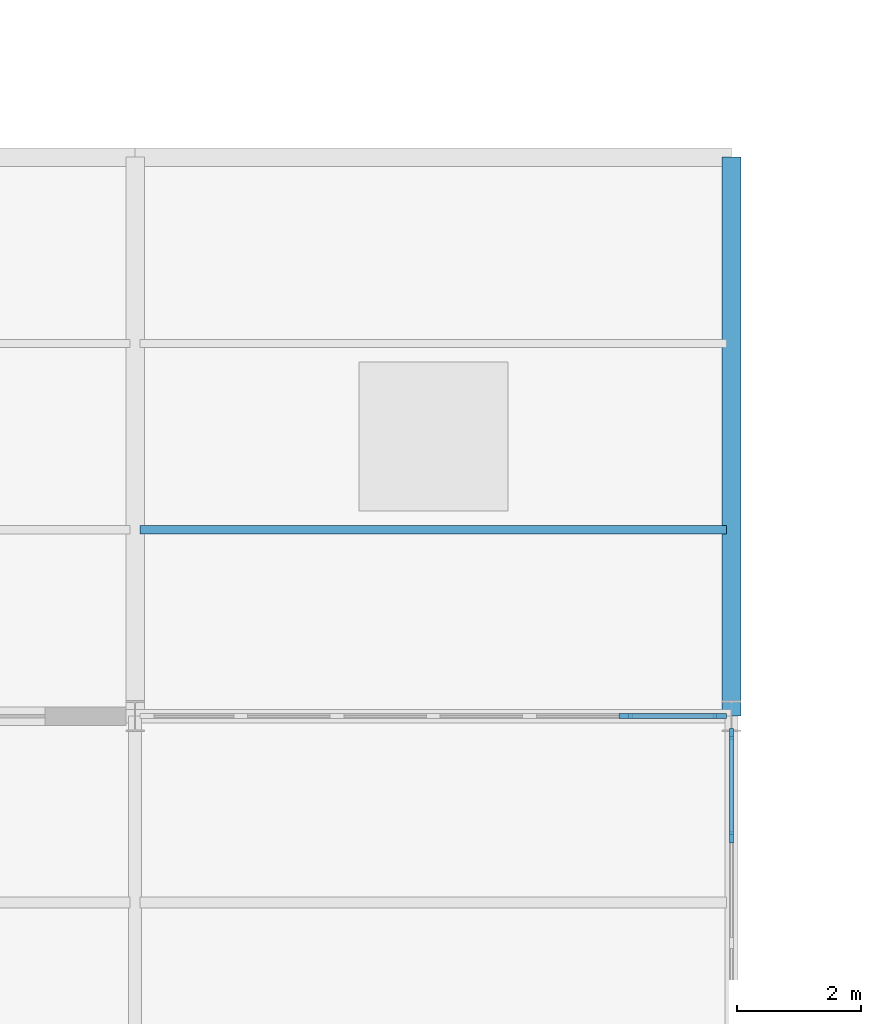
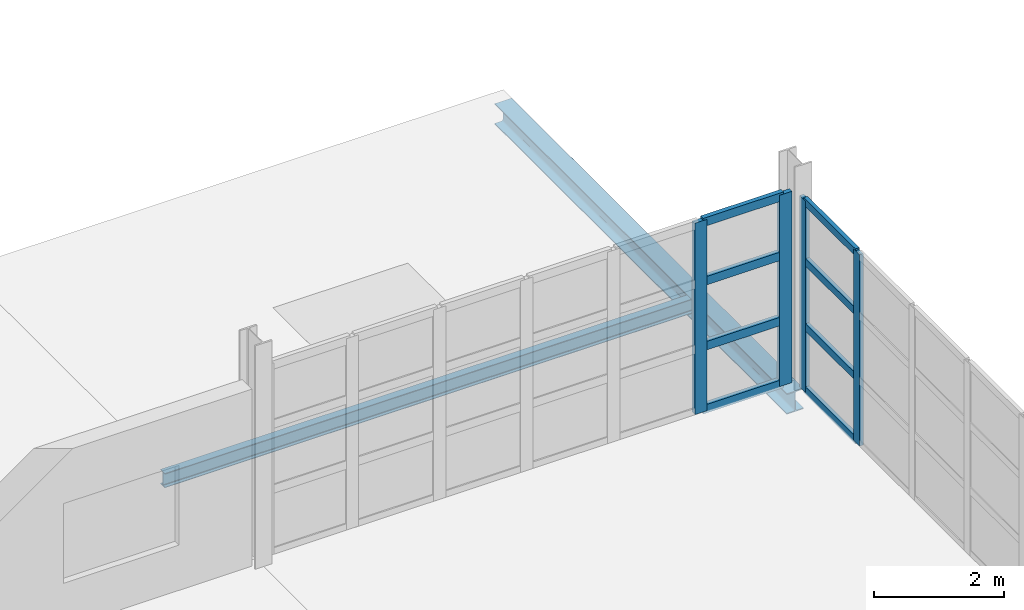
# One storey, part 14 of 52: 12 members, 2 beams, 2 elements without a shape of their own.
"""IFC4 building model written with IfcOpenShell, lengths in metres."""

from ifc_helpers import new_model, si_unit, direction, frame, origin, origin_2d, place, context, subcontext, project, spatial, rectangle, i_section, extrude, material, layer, layer_set, material_profile, profile_set, type_object, element, aggregate, save


model = new_model("IFC4")

# Units and contexts
model_context = context("Model", 3, precision=1e-05, world=origin(), true_north=direction((0.0, 1.0)))
body_context = subcontext(model_context, "Body", "Model", "MODEL_VIEW")
ifc_project = project(units=[si_unit("LENGTHUNIT", "METRE"), si_unit("AREAUNIT", "SQUARE_METRE"), si_unit("VOLUMEUNIT", "CUBIC_METRE"), si_unit("PLANEANGLEUNIT", "RADIAN"), si_unit("MASSUNIT", "GRAM", prefix="KILO")], contexts=[model_context])

# Site, building, storey
site_placement = place(None, origin())
site = spatial("IfcSite", under=ifc_project, at=site_placement, CompositionType="ELEMENT")
building_placement = place(site_placement, origin())
building = spatial("IfcBuilding", under=site, at=building_placement, Name="Zarnetskaya Central Station", CompositionType="ELEMENT")
storey_placement = place(building_placement, frame((0.0, 0.0, 14.39990234375)))
storey = spatial("IfcBuildingStorey", under=building, at=storey_placement, Name="L03", CompositionType="ELEMENT", Elevation=14.39990234375)

# Beam
ifc_material_1 = material(Name="Steel S355", Category="steel")
ifc_material_profile_1 = material_profile(ifc_material_1, i_section(OverallWidth=0.135009765625, OverallDepth=0.27001953125, WebThickness=0.006591796875, FlangeThickness=0.01025390625, FilletRadius=0.014892578125, at=origin_2d()), Name="IPE 270")
ifc_profile_set_1 = profile_set([ifc_material_profile_1], Name="Steel S355")
beam_type_1 = type_object("IfcBeamType", Name="BM-JST-270", PredefinedType="JOIST", material=ifc_profile_set_1)
beam_1_placement = place(storey_placement, frame((19.280029296875, 61.199951171875, -0.344970703125), z_axis=(1.0, 0.0, 0.0), x_axis=(0.0, 1.0, 0.0)))
element("IfcBeam", 1, at=beam_1_placement, inside=storey, type_object=beam_type_1, Name="Secondary floor beam SEC-L03-Z1419-CD-89-1", PredefinedType="JOIST", context=body_context, shape_type="SweptSolid", body=[
    extrude(i_section(OverallWidth=0.135009765625, OverallDepth=0.27001953125, WebThickness=0.006591796875, FlangeThickness=0.01025390625, FilletRadius=0.014892578125, at=origin_2d()), origin(), (0.0, 0.0, 1.0), 9.43994140625),
])

# Curtain wall, members
ifc_material_2 = material(Name="Low-E insulated glass", Category="glass")
ifc_layer_1 = layer(ifc_material_2, 0.176025390625, Name="Low-E insulated glass", Category="glass")
ifc_layer_set_1 = layer_set([ifc_layer_1], Name="Low-E insulated glass")
curtain_wall_type_1 = type_object("IfcCurtainWallType", Name="CW-SYS-05", PredefinedType="USERDEFINED", material=ifc_layer_set_1)
curtain_wall_1_placement = place(storey_placement, origin())
curtain_wall_1 = element("IfcCurtainWall", 2, at=curtain_wall_1_placement, inside=storey, type_object=curtain_wall_type_1, Name="Curtain wall CW-L03-037", ObjectType="CURTAIN WALL", PredefinedType="USERDEFINED")
ifc_material_3 = material(Name="Anodised aluminium", Category="aluminium")
ifc_material_profile_2 = material_profile(ifc_material_3, rectangle(XDim=0.070068359375, YDim=0.179931640625, at=origin_2d()), Name="ALU MULL 70x180")
ifc_profile_set_2 = profile_set([ifc_material_profile_2], Name="Anodised aluminium")
member_type_1 = type_object("IfcMemberType", Name="CW-MULL-180", PredefinedType="MULLION", material=ifc_profile_set_2)
member_1_placement = place(storey_placement, frame((28.800048828125, 57.9150390625, 0.0), z_axis=(0.0, 0.0, 1.0), x_axis=(1.0, 0.0, 0.0)))
member_1 = element("IfcMember", 3, at=member_1_placement, type_object=member_type_1, Name="CW-14 mullion 1", PredefinedType="MULLION", context=body_context, shape_type="SweptSolid", body=[
    extrude(rectangle(XDim=0.070068359375, YDim=0.179931640625, at=origin_2d()), origin(), (0.0, 0.0, 1.0), 3.60009765625),
])
member_2_placement = place(storey_placement, frame((28.800048828125, 56.25, 0.0), z_axis=(0.0, 0.0, 1.0), x_axis=(1.0, 0.0, 0.0)))
member_2 = element("IfcMember", 4, at=member_2_placement, type_object=member_type_1, Name="CW-14 mullion 2", PredefinedType="MULLION", context=body_context, shape_type="SweptSolid", body=[
    extrude(rectangle(XDim=0.070068359375, YDim=0.179931640625, at=origin_2d()), origin(), (0.0, 0.0, 1.0), 3.60009765625),
])

ifc_layer_2 = layer(ifc_material_2, 0.1640625, Name="Low-E insulated glass", Category="glass")
ifc_layer_set_2 = layer_set([ifc_layer_2], Name="Low-E insulated glass")
curtain_wall_type_2 = type_object("IfcCurtainWallType", Name="CW-SYS-07", PredefinedType="USERDEFINED", material=ifc_layer_set_2)
curtain_wall_2_placement = place(storey_placement, origin())
curtain_wall_2 = element("IfcCurtainWall", 5, at=curtain_wall_2_placement, inside=storey, type_object=curtain_wall_type_2, Name="Curtain wall CW-L03-036", ObjectType="CURTAIN WALL", PredefinedType="USERDEFINED")
ifc_material_profile_3 = material_profile(ifc_material_3, rectangle(XDim=0.080078125, YDim=0.219970703125, at=origin_2d()), Name="ALU MULL 80x220")
ifc_profile_set_3 = profile_set([ifc_material_profile_3], Name="Anodised aluminium")
member_type_2 = type_object("IfcMemberType", Name="CW-MULL-220", PredefinedType="MULLION", material=ifc_profile_set_3)
member_3_placement = place(storey_placement, frame((27.10009765625, 58.199951171875, 0.0), z_axis=(0.0, 0.0, 1.0), x_axis=(0.0, 1.0, 0.0)))
member_3 = element("IfcMember", 6, at=member_3_placement, type_object=member_type_2, Name="CW-06 mullion 6", PredefinedType="MULLION", context=body_context, shape_type="SweptSolid", body=[
    extrude(rectangle(XDim=0.080078125, YDim=0.219970703125, at=origin_2d()), origin(), (0.0, 0.0, 1.0), 3.60009765625),
])
member_4_placement = place(storey_placement, frame((28.610107421875, 58.199951171875, 0.0), z_axis=(0.0, 0.0, 1.0), x_axis=(0.0, 1.0, 0.0)))
member_4 = element("IfcMember", 7, at=member_4_placement, type_object=member_type_2, Name="CW-06 mullion 7", PredefinedType="MULLION", context=body_context, shape_type="SweptSolid", body=[
    extrude(rectangle(XDim=0.080078125, YDim=0.219970703125, at=origin_2d()), origin(), (0.0, 0.0, 1.0), 3.60009765625),
])

# Member
ifc_material_profile_4 = material_profile(ifc_material_3, rectangle(XDim=0.070068359375, YDim=0.139892578125, at=origin_2d()), Name="ALU TRAN 70x140")
ifc_profile_set_4 = profile_set([ifc_material_profile_4], Name="Anodised aluminium")
member_type_3 = type_object("IfcMemberType", Name="CW-TRAN-140", PredefinedType="USERDEFINED", material=ifc_profile_set_4)
member_5_placement = place(storey_placement, frame((28.800048828125, 57.8798828125, 0.03515625), z_axis=(0.0, -1.0, 0.0), x_axis=(1.0, 0.0, 0.0)))
member_5 = element("IfcMember", 8, at=member_5_placement, type_object=member_type_3, Name="CW-14 transom 1.1", ObjectType="TRANSOM", PredefinedType="USERDEFINED", context=body_context, shape_type="SweptSolid", body=[
    extrude(rectangle(XDim=0.070068359375, YDim=0.139892578125, at=origin_2d()), origin(), (0.0, 0.0, 1.0), 1.594970703125),
])

member_6_placement = place(storey_placement, frame((28.800048828125, 57.8798828125, 1.22412109375), z_axis=(0.0, -1.0, 0.0), x_axis=(1.0, 0.0, 0.0)))
member_6 = element("IfcMember", 9, at=member_6_placement, type_object=member_type_3, Name="CW-14 transom 1.2", ObjectType="TRANSOM", PredefinedType="USERDEFINED", context=body_context, shape_type="SweptSolid", body=[
    extrude(rectangle(XDim=0.070068359375, YDim=0.139892578125, at=origin_2d()), origin(), (0.0, 0.0, 1.0), 1.594970703125),
])

member_7_placement = place(storey_placement, frame((28.800048828125, 57.8798828125, 2.447998046875), z_axis=(0.0, -1.0, 0.0), x_axis=(1.0, 0.0, 0.0)))
member_7 = element("IfcMember", 10, at=member_7_placement, type_object=member_type_3, Name="CW-14 transom 1.3", ObjectType="TRANSOM", PredefinedType="USERDEFINED", context=body_context, shape_type="SweptSolid", body=[
    extrude(rectangle(XDim=0.070068359375, YDim=0.139892578125, at=origin_2d()), origin(), (0.0, 0.0, 1.0), 1.594970703125),
])

member_8_placement = place(storey_placement, frame((28.800048828125, 57.8798828125, 3.565185546875), z_axis=(0.0, -1.0, 0.0), x_axis=(1.0, 0.0, 0.0)))
member_8 = element("IfcMember", 11, at=member_8_placement, type_object=member_type_3, Name="CW-14 transom 1.4", ObjectType="TRANSOM", PredefinedType="USERDEFINED", context=body_context, shape_type="SweptSolid", body=[
    extrude(rectangle(XDim=0.070068359375, YDim=0.139892578125, at=origin_2d()), origin(), (0.0, 0.0, 1.0), 1.594970703125),
])

aggregate(curtain_wall_1, [member_1, member_2, member_5, member_6, member_7, member_8])

ifc_material_profile_5 = material_profile(ifc_material_3, rectangle(XDim=0.080078125, YDim=0.159912109375, at=origin_2d()), Name="ALU TRAN 80x160")
ifc_profile_set_5 = profile_set([ifc_material_profile_5], Name="Anodised aluminium")
member_type_4 = type_object("IfcMemberType", Name="CW-TRAN-160", PredefinedType="USERDEFINED", material=ifc_profile_set_5)
member_9_placement = place(storey_placement, frame((27.139892578125, 58.199951171875, 0.0400390625), z_axis=(1.0, 0.0, 0.0), x_axis=(0.0, 1.0, 0.0)))
member_9 = element("IfcMember", 12, at=member_9_placement, type_object=member_type_4, Name="CW-06 transom 6.1", ObjectType="TRANSOM", PredefinedType="USERDEFINED", context=body_context, shape_type="SweptSolid", body=[
    extrude(rectangle(XDim=0.080078125, YDim=0.159912109375, at=origin_2d()), origin(), (0.0, 0.0, 1.0), 1.43017578125),
])

member_10_placement = place(storey_placement, frame((27.139892578125, 58.199951171875, 1.22412109375), z_axis=(1.0, 0.0, 0.0), x_axis=(0.0, 1.0, 0.0)))
member_10 = element("IfcMember", 13, at=member_10_placement, type_object=member_type_4, Name="CW-06 transom 6.2", ObjectType="TRANSOM", PredefinedType="USERDEFINED", context=body_context, shape_type="SweptSolid", body=[
    extrude(rectangle(XDim=0.080078125, YDim=0.159912109375, at=origin_2d()), origin(), (0.0, 0.0, 1.0), 1.43017578125),
])

member_11_placement = place(storey_placement, frame((27.139892578125, 58.199951171875, 2.447998046875), z_axis=(1.0, 0.0, 0.0), x_axis=(0.0, 1.0, 0.0)))
member_11 = element("IfcMember", 14, at=member_11_placement, type_object=member_type_4, Name="CW-06 transom 6.3", ObjectType="TRANSOM", PredefinedType="USERDEFINED", context=body_context, shape_type="SweptSolid", body=[
    extrude(rectangle(XDim=0.080078125, YDim=0.159912109375, at=origin_2d()), origin(), (0.0, 0.0, 1.0), 1.43017578125),
])

member_12_placement = place(storey_placement, frame((27.139892578125, 58.199951171875, 3.56005859375), z_axis=(1.0, 0.0, 0.0), x_axis=(0.0, 1.0, 0.0)))
member_12 = element("IfcMember", 15, at=member_12_placement, type_object=member_type_4, Name="CW-06 transom 6.4", ObjectType="TRANSOM", PredefinedType="USERDEFINED", context=body_context, shape_type="SweptSolid", body=[
    extrude(rectangle(XDim=0.080078125, YDim=0.159912109375, at=origin_2d()), origin(), (0.0, 0.0, 1.0), 1.43017578125),
])

aggregate(curtain_wall_2, [member_3, member_4, member_9, member_10, member_11, member_12])

# Beam
ifc_material_profile_6 = material_profile(ifc_material_1, i_section(OverallWidth=0.300048828125, OverallDepth=0.389892578125, WebThickness=0.010986328125, FlangeThickness=0.01904296875, FilletRadius=0.027099609375, at=origin_2d()), Name="HEA 400")
ifc_profile_set_6 = profile_set([ifc_material_profile_6], Name="Steel S355")
beam_type_2 = type_object("IfcBeamType", Name="GD-ROOF-400", PredefinedType="USERDEFINED", material=ifc_profile_set_6)
beam_2_placement = place(storey_placement, frame((28.800048828125, 58.199951171875, -0.40478515625), z_axis=(0.0, 1.0, 0.0), x_axis=(-1.0, 0.0, 0.0)))
element("IfcBeam", 16, at=beam_2_placement, inside=storey, type_object=beam_type_2, Name="Grid girder GY-L03-D-89", ObjectType="GIRDER", PredefinedType="USERDEFINED", context=body_context, shape_type="SweptSolid", body=[
    extrude(i_section(OverallWidth=0.300048828125, OverallDepth=0.389892578125, WebThickness=0.010986328125, FlangeThickness=0.01904296875, FilletRadius=0.027099609375, at=origin_2d()), origin(), (0.0, 0.0, 1.0), 9.0),
])

save(model, "model.ifc")
